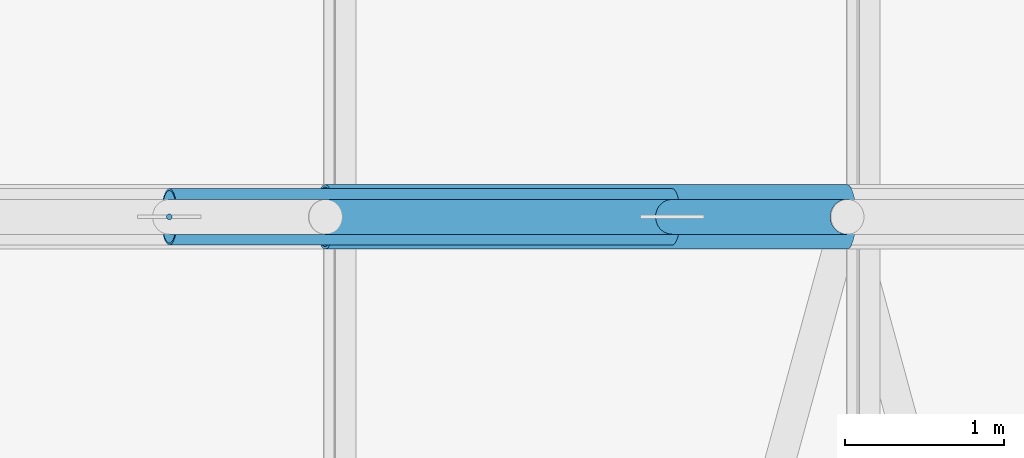
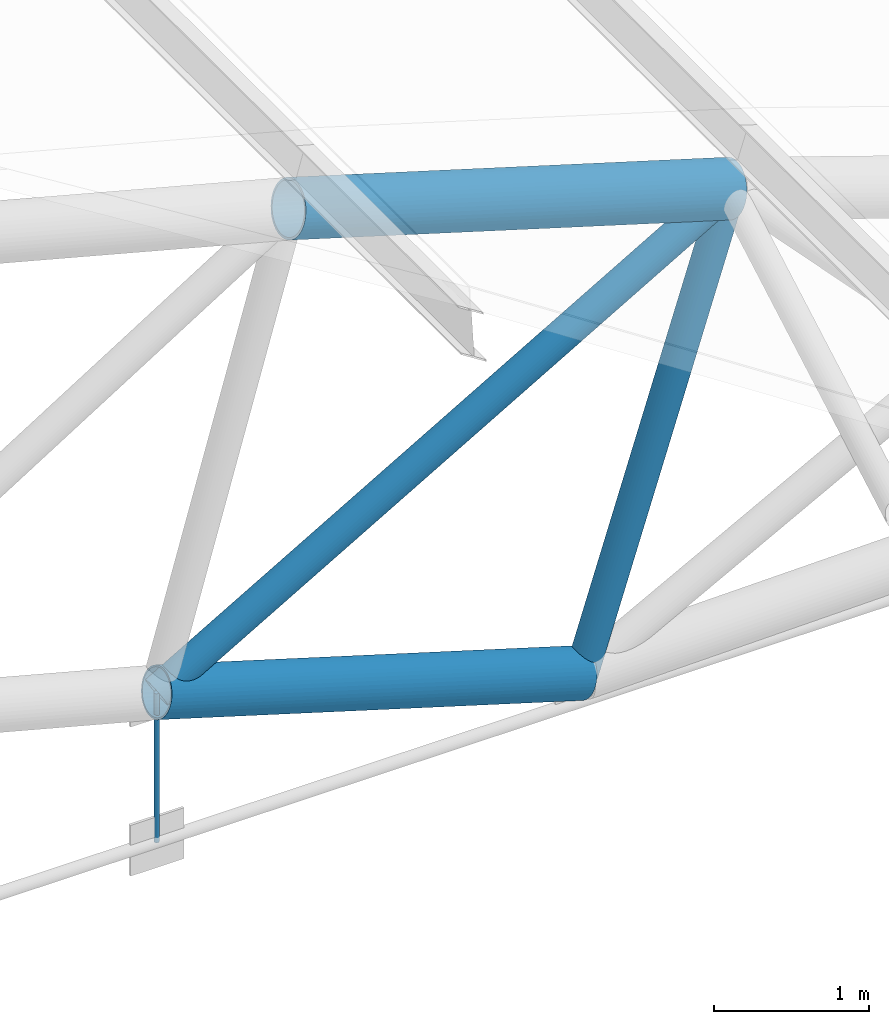
# One storey, part 109 of 321: 5 members.
"""IFC4 building model written with IfcOpenShell, lengths in metres."""

from ifc_helpers import new_model, si_unit, direction, frame, origin, origin_2d, place, context, subcontext, project, spatial, circle, hollow_circle, extrude, material, material_profile, profile_set, type_object, element, save


model = new_model("IFC4")

# Units and contexts
model_context = context("Model", 3, precision=1e-05, world=origin(), true_north=direction((0.0, 1.0)))
body_context = subcontext(model_context, "Body", "Model", "MODEL_VIEW")
ifc_project = project(units=[si_unit("LENGTHUNIT", "METRE"), si_unit("AREAUNIT", "SQUARE_METRE"), si_unit("VOLUMEUNIT", "CUBIC_METRE"), si_unit("PLANEANGLEUNIT", "RADIAN"), si_unit("MASSUNIT", "GRAM", prefix="KILO")], contexts=[model_context])

# Site, building, storey
site_placement = place(None, origin())
site = spatial("IfcSite", under=ifc_project, at=site_placement, CompositionType="ELEMENT")
building_placement = place(site_placement, origin())
building = spatial("IfcBuilding", under=site, at=building_placement, Name="Ravi Spectrum Wholesale Market", CompositionType="ELEMENT")
storey_placement = place(building_placement, frame((0.0, 0.0, 10.800048828125)))
storey = spatial("IfcBuildingStorey", under=building, at=storey_placement, Name="L02", CompositionType="ELEMENT", Elevation=10.800048828125)

# Members
ifc_material_1 = material(Name="Steel S355", Category="steel")
ifc_material_profile_1 = material_profile(ifc_material_1, hollow_circle(Radius=0.109619140625, WallThickness=0.008056640625, at=origin_2d()))
ifc_profile_set_1 = profile_set([ifc_material_profile_1], Name="Steel S355")
member_type_1 = type_object("IfcMemberType", Name="CHS 219.1x8 brace", PredefinedType="BRACE", material=ifc_profile_set_1)
member_1_placement = place(storey_placement, frame((100.380615234375, 126.0, 3.645263671875), z_axis=(-0.865160555252, 0.0, -0.501494978675), x_axis=(0.0, -1.0, 0.0)))
element("IfcMember", 1, at=member_1_placement, inside=storey, type_object=member_type_1, Name="H1-MB-L02-739", PredefinedType="BRACE", context=body_context, shape_type="SweptSolid", body=[
    extrude(hollow_circle(Radius=0.109619140625, WallThickness=0.008056640625, at=origin_2d()), origin(), (0.0, 0.0, 1.0), 4.9296875),
])
ifc_material_2 = material(Name="Steel S355", Category="steel")
ifc_material_profile_2 = material_profile(ifc_material_2, hollow_circle(Radius=0.109619140625, WallThickness=0.008056640625, at=origin_2d()))
ifc_profile_set_2 = profile_set([ifc_material_profile_2], Name="Steel S355")
member_type_2 = type_object("IfcMemberType", Name="CHS 219.1x8 post", PredefinedType="POST", material=ifc_profile_set_2)
member_2_placement = place(storey_placement, frame((100.380615234375, 126.0, 3.645263671875), z_axis=(-0.305506444581, 0.0, -0.952190008517), x_axis=(0.0, -1.0, 0.0)))
element("IfcMember", 2, at=member_2_placement, inside=storey, type_object=member_type_2, Name="H1-MB-L02-717", PredefinedType="POST", context=body_context, shape_type="SweptSolid", body=[
    extrude(hollow_circle(Radius=0.109619140625, WallThickness=0.008056640625, at=origin_2d()), origin(), (0.0, 0.0, 1.0), 3.60009765625),
])
ifc_material_3 = material(Name="Steel S355", Category="steel")
ifc_material_profile_3 = material_profile(ifc_material_3, hollow_circle(Radius=0.177734375, WallThickness=0.012451171875, at=origin_2d()))
ifc_profile_set_3 = profile_set([ifc_material_profile_3], Name="Steel S355")
member_type_3 = type_object("IfcMemberType", Name="CHS 355.6x12.5 chord", PredefinedType="CHORD", material=ifc_profile_set_3)
member_3_placement = place(storey_placement, frame((96.11572265625, 126.0, 1.173095703125), z_axis=(0.957300337613, 0.0, -0.289095250058), x_axis=(0.0, 1.0, 0.0)))
element("IfcMember", 3, at=member_3_placement, inside=storey, type_object=member_type_3, Name="H1-MB-L02-693", PredefinedType="CHORD", context=body_context, shape_type="SweptSolid", body=[
    extrude(hollow_circle(Radius=0.177734375, WallThickness=0.012451171875, at=origin_2d()), origin(), (0.0, 0.0, 1.0), 3.30615234375),
])
ifc_material_4 = material(Name="Steel S355", Category="steel")
ifc_material_profile_4 = material_profile(ifc_material_4, hollow_circle(Radius=0.203125, WallThickness=0.01611328125, at=origin_2d()))
ifc_profile_set_4 = profile_set([ifc_material_profile_4], Name="Steel S355")
member_type_4 = type_object("IfcMemberType", Name="CHS 406.4x16 chord", PredefinedType="CHORD", material=ifc_profile_set_4)
member_4_placement = place(storey_placement, frame((97.096923828125, 126.0, 4.63671875), z_axis=(0.957315448633, 0.0, -0.289045207204), x_axis=(0.0, 1.0, 0.0)))
element("IfcMember", 4, at=member_4_placement, inside=storey, type_object=member_type_4, Name="H1-MB-L02-669", PredefinedType="CHORD", context=body_context, shape_type="SweptSolid", body=[
    extrude(hollow_circle(Radius=0.203125, WallThickness=0.01611328125, at=origin_2d()), origin(), (0.0, 0.0, 1.0), 3.43017578125),
])
ifc_material_5 = material(Name="Steel S355", Category="steel")
ifc_material_profile_5 = material_profile(ifc_material_5, circle(Radius=0.01806640625, at=origin_2d()))
ifc_profile_set_5 = profile_set([ifc_material_profile_5], Name="Steel S355")
member_type_5 = type_object("IfcMemberType", Name="ROD 36 hanger", PredefinedType="STRUT", material=ifc_profile_set_5)
member_5_placement = place(storey_placement, frame((96.11572265625, 126.0, 0.0), z_axis=(0.0, 0.0, 1.0), x_axis=(1.0, 0.0, 0.0)))
element("IfcMember", 5, at=member_5_placement, inside=storey, type_object=member_type_5, Name="H1-MB-L02-747", PredefinedType="STRUT", context=body_context, shape_type="SweptSolid", body=[
    extrude(circle(Radius=0.01806640625, at=origin_2d()), origin(), (0.0, 0.0, 1.0), 1.173095703125),
])

save(model, "model.ifc")
